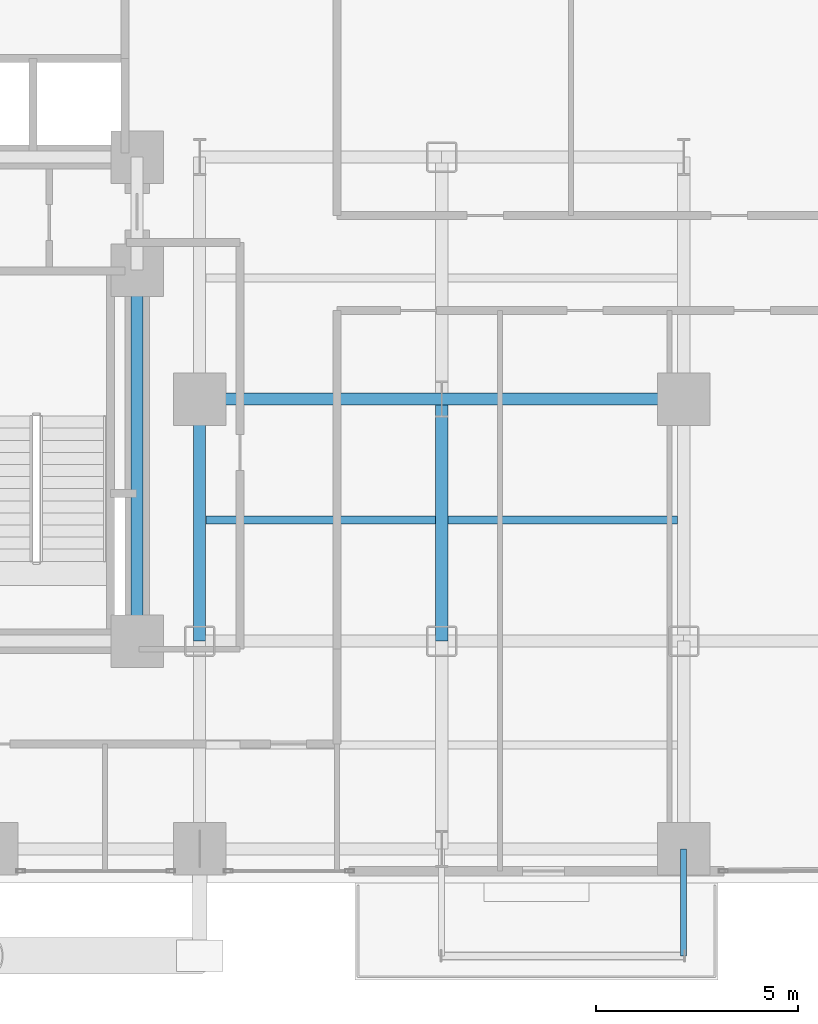
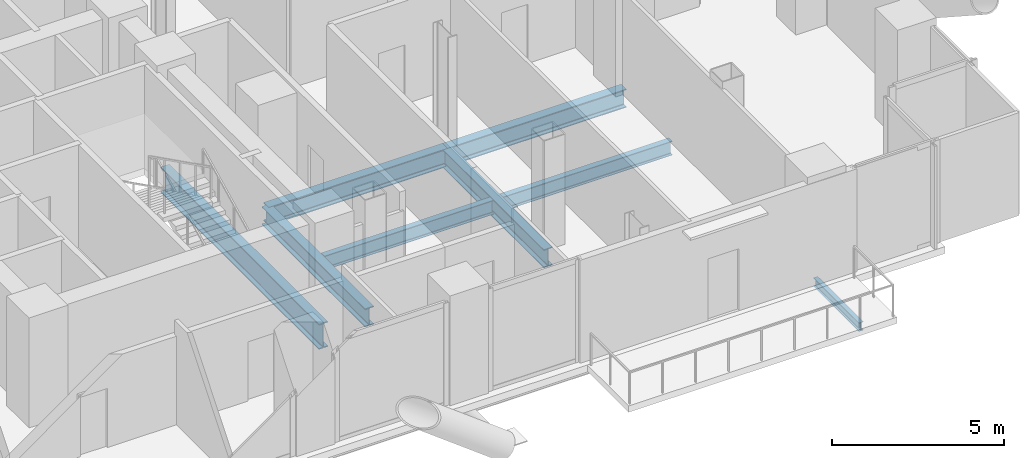
# One storey, part 9 of 27: 8 beams.
"""IFC4 building model written with IfcOpenShell, lengths in metres."""

from ifc_helpers import new_model, si_unit, direction, frame, origin, origin_2d, place, context, subcontext, project, spatial, i_section, extrude, material, material_profile, profile_set, type_object, element, save


model = new_model("IFC4")

# Units and contexts
model_context = context("Model", 3, precision=1e-05, world=origin(), true_north=direction((0.0, 1.0)))
body_context = subcontext(model_context, "Body", "Model", "MODEL_VIEW")
ifc_project = project(units=[si_unit("LENGTHUNIT", "METRE"), si_unit("AREAUNIT", "SQUARE_METRE"), si_unit("VOLUMEUNIT", "CUBIC_METRE"), si_unit("PLANEANGLEUNIT", "RADIAN"), si_unit("MASSUNIT", "GRAM", prefix="KILO"), si_unit("THERMODYNAMICTEMPERATUREUNIT", "KELVIN"), si_unit("POWERUNIT", "WATT")], contexts=[model_context])

# Site, building, storey
site_placement = place(None, origin())
site = spatial("IfcSite", under=ifc_project, at=site_placement, CompositionType="ELEMENT")
building_placement = place(site_placement, origin())
building = spatial("IfcBuilding", under=site, at=building_placement, Name="Svarakhadi Broadcast Tower", CompositionType="ELEMENT")
storey_placement = place(building_placement, frame((0.0, 0.0, 44.10009765625)))
storey = spatial("IfcBuildingStorey", under=building, at=storey_placement, Name="L09", CompositionType="ELEMENT", Elevation=44.10009765625)

# Beams
ifc_material_1 = material(Name="Steel S355J2 (IS 2062 E350C)", Category="steel")
ifc_material_profile_1 = material_profile(ifc_material_1, i_section(OverallWidth=0.199951171875, OverallDepth=0.5, WebThickness=0.01025390625, FlangeThickness=0.01611328125, FilletRadius=0.02099609375, at=origin_2d()), Name="NPB 500x200x91")
ifc_profile_set_1 = profile_set([ifc_material_profile_1], Name="Steel S355J2 (IS 2062 E350C)")
beam_type_1 = type_object("IfcBeamType", Name="Beam_NPB500", PredefinedType="BEAM", material=ifc_profile_set_1)
for number, where, z_axis, x_axis, name in (
    (1, (35.31005859375, 9.0, -0.5), (1.0, 0.0, 0.0), (0.0, 1.0, 0.0), "L09 Secondary Composite Beam SB023"),
    (2, (41.31005859375, 9.0, -0.5), (1.0, 0.0, 0.0), (0.0, 1.0, 0.0), "L09 Secondary Composite Beam SB026"),
):
    element("IfcBeam", number, at=place(storey_placement, frame(where, z_axis=z_axis, x_axis=x_axis)), inside=storey, type_object=beam_type_1, Name=name, PredefinedType="BEAM", context=body_context, shape_type="SweptSolid", body=[
        extrude(i_section(OverallWidth=0.199951171875, OverallDepth=0.5, WebThickness=0.01025390625, FlangeThickness=0.01611328125, FilletRadius=0.02099609375, at=origin_2d()), origin(), (0.0, 0.0, 1.0), 5.679931640625),
    ])
ifc_material_profile_2 = material_profile(ifc_material_1, i_section(OverallWidth=0.300048828125, OverallDepth=0.64990234375, WebThickness=0.01611328125, FlangeThickness=0.031005859375, FilletRadius=0.027099609375, at=origin_2d()), Name="WPB 650x300x225")
ifc_profile_set_2 = profile_set([ifc_material_profile_2], Name="Steel S355J2 (IS 2062 E350C)")
beam_type_2 = type_object("IfcBeamType", Name="Girder_WPB650", PredefinedType="USERDEFINED", material=ifc_profile_set_2)
for number, where, z_axis, x_axis, name in (
    (3, (35.14990234375, 12.0, -0.5751953125), (1.0, 0.0, 0.0), (0.0, 1.0, 0.0), "L09 Primary E-W Girder G023"),
    (4, (41.14990234375, 12.0, -0.5751953125), (1.0, 0.0, 0.0), (0.0, 1.0, 0.0), "L09 Primary E-W Girder G024"),
    (5, (35.14990234375, 6.0, -0.5751953125), (0.0, 1.0, 0.0), (-1.0, 0.0, 0.0), "L09 Primary N-S Girder G077"),
    (6, (41.14990234375, 6.0, -0.5751953125), (0.0, 1.0, 0.0), (-1.0, 0.0, 0.0), "L09 Primary N-S Girder G080"),
):
    element("IfcBeam", number, at=place(storey_placement, frame(where, z_axis=z_axis, x_axis=x_axis)), inside=storey, type_object=beam_type_2, Name=name, ObjectType="GIRDER", PredefinedType="USERDEFINED", context=body_context, shape_type="SweptSolid", body=[
        extrude(i_section(OverallWidth=0.300048828125, OverallDepth=0.64990234375, WebThickness=0.01611328125, FlangeThickness=0.031005859375, FilletRadius=0.027099609375, at=origin_2d()), origin(), (0.0, 0.0, 1.0), 6.0),
    ])
ifc_material_2 = material(Name="Steel S460ML (IS 2062 E450BR)", Category="steel")
ifc_material_profile_3 = material_profile(ifc_material_2, i_section(OverallWidth=0.300048828125, OverallDepth=0.89990234375, WebThickness=0.0185546875, FlangeThickness=0.034912109375, FilletRadius=0.030029296875, at=origin_2d()), Name="WPB 900x300x291")
ifc_profile_set_3 = profile_set([ifc_material_profile_3], Name="Steel S460ML (IS 2062 E450BR)")
beam_type_3 = type_object("IfcBeamType", Name="Girder_WPB900", PredefinedType="USERDEFINED", material=ifc_profile_set_3)
beam_1_placement = place(storey_placement, frame((33.60009765625, 6.0, -0.7001953125), z_axis=(0.0, 1.0, 0.0), x_axis=(-1.0, 0.0, 0.0)))
element("IfcBeam", 7, at=beam_1_placement, inside=storey, type_object=beam_type_3, Name="L09 Primary N-S Girder G074", ObjectType="GIRDER", PredefinedType="USERDEFINED", context=body_context, shape_type="SweptSolid", body=[
    extrude(i_section(OverallWidth=0.300048828125, OverallDepth=0.89990234375, WebThickness=0.0185546875, FlangeThickness=0.034912109375, FilletRadius=0.030029296875, at=origin_2d()), origin(), (0.0, 0.0, 1.0), 9.199951171875),
])
ifc_material_profile_4 = material_profile(ifc_material_1, i_section(OverallWidth=0.14990234375, OverallDepth=0.300048828125, WebThickness=0.007080078125, FlangeThickness=0.0107421875, FilletRadius=0.014892578125, at=origin_2d()), Name="NPB 300x150x37")
ifc_profile_set_4 = profile_set([ifc_material_profile_4], Name="Steel S355J2 (IS 2062 E350C)")
beam_type_4 = type_object("IfcBeamType", Name="Spandrel_NPB300", PredefinedType="SPANDREL", material=ifc_profile_set_4)
beam_2_placement = place(storey_placement, frame((47.14990234375, 0.85009765625, -0.400146484375), z_axis=(0.0, -1.0, 0.0), x_axis=(1.0, 0.0, 0.0)))
element("IfcBeam", 8, at=beam_2_placement, inside=storey, type_object=beam_type_4, Name="L09 Balcony Cantilever Bracket 1B", PredefinedType="SPANDREL", context=body_context, shape_type="SweptSolid", body=[
    extrude(i_section(OverallWidth=0.14990234375, OverallDepth=0.300048828125, WebThickness=0.007080078125, FlangeThickness=0.0107421875, FilletRadius=0.014892578125, at=origin_2d()), origin(), (0.0, 0.0, 1.0), 2.650146484375),
])

save(model, "model.ifc")
